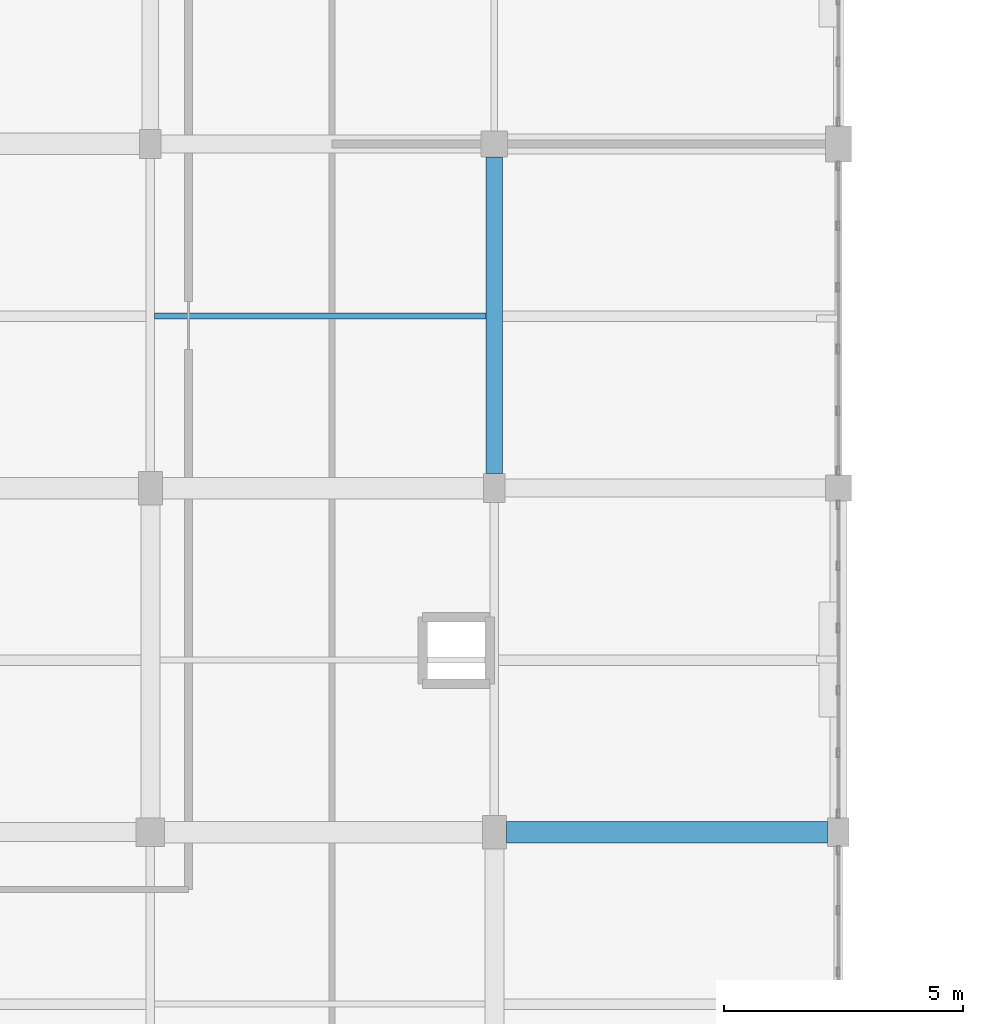
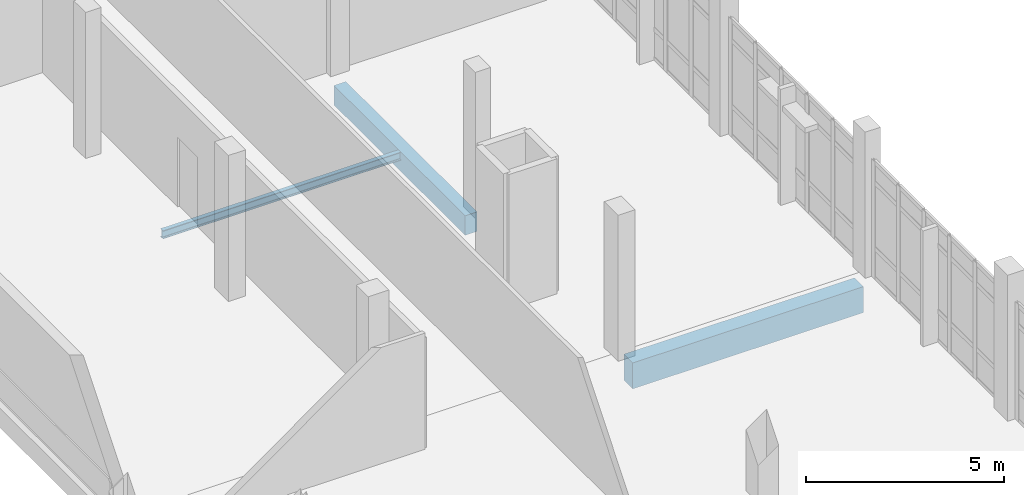
# One storey, part 15 of 57: 3 beams.
"""IFC4 building model written with IfcOpenShell, lengths in metres."""

from ifc_helpers import new_model, si_unit, direction, frame, origin, origin_2d, place, context, subcontext, project, spatial, rectangle, i_section, extrude, material, material_profile, profile_set, type_object, element, save


model = new_model("IFC4")

# Units and contexts
model_context = context("Model", 3, precision=1e-05, world=origin(), true_north=direction((0.0, 1.0)))
body_context = subcontext(model_context, "Body", "Model", "MODEL_VIEW")
ifc_project = project(units=[si_unit("LENGTHUNIT", "METRE"), si_unit("AREAUNIT", "SQUARE_METRE"), si_unit("VOLUMEUNIT", "CUBIC_METRE"), si_unit("PLANEANGLEUNIT", "RADIAN"), si_unit("MASSUNIT", "GRAM", prefix="KILO")], contexts=[model_context])

# Site, building, storey
site_placement = place(None, origin())
site = spatial("IfcSite", under=ifc_project, at=site_placement, CompositionType="ELEMENT")
building_placement = place(site_placement, origin())
building = spatial("IfcBuilding", under=site, at=building_placement, Name="Kalluvel Institute of Natural Sciences", CompositionType="ELEMENT")
storey_placement = place(building_placement, frame((0.0, 0.0, 23.39990234375)))
storey = spatial("IfcBuildingStorey", under=building, at=storey_placement, Name="L05", CompositionType="ELEMENT", Elevation=23.39990234375)

# Beams
ifc_material_1 = material(Name="Concrete M40", Category="concrete")
ifc_material_profile_1 = material_profile(ifc_material_1, rectangle(XDim=0.35009765625, YDim=0.60009765625, at=origin_2d()), Name="RCB 350x600")
ifc_profile_set_1 = profile_set([ifc_material_profile_1], Name="Concrete M40")
beam_type_1 = type_object("IfcBeamType", Name="BM-RC350x600", PredefinedType="BEAM", material=ifc_profile_set_1)
beam_1_placement = place(storey_placement, frame((28.39990234375, 71.89990234375, -0.599853515625), z_axis=(0.0, 1.0, 0.0), x_axis=(-1.0, 0.0, 0.0)))
element("IfcBeam", 1, at=beam_1_placement, inside=storey, type_object=beam_type_1, Name="L05 girder GIR-L05-NS-X284-Y716", PredefinedType="BEAM", context=body_context, shape_type="SweptSolid", body=[
    extrude(rectangle(XDim=0.35009765625, YDim=0.60009765625, at=origin_2d()), origin(), (0.0, 0.0, 1.0), 6.625),
])
ifc_material_profile_2 = material_profile(ifc_material_1, rectangle(XDim=0.449951171875, YDim=0.800048828125, at=origin_2d()), Name="RCB 450x800")
ifc_profile_set_2 = profile_set([ifc_material_profile_2], Name="Concrete M40")
beam_type_2 = type_object("IfcBeamType", Name="BM-RC450x800", PredefinedType="BEAM", material=ifc_profile_set_2)
beam_2_placement = place(storey_placement, frame((28.64990234375, 64.39990234375, -0.699951171875), z_axis=(1.0, 0.0, 0.0), x_axis=(0.0, 1.0, 0.0)))
element("IfcBeam", 2, at=beam_2_placement, inside=storey, type_object=beam_type_2, Name="L05 girder GIR-L05-EW-X284-Y644", PredefinedType="BEAM", context=body_context, shape_type="SweptSolid", body=[
    extrude(rectangle(XDim=0.449951171875, YDim=0.800048828125, at=origin_2d()), origin(), (0.0, 0.0, 1.0), 6.72509765625),
])
ifc_material_2 = material(Name="Steel E350 Grade 350", Category="steel")
ifc_material_profile_3 = material_profile(ifc_material_2, i_section(OverallWidth=0.125, OverallDepth=0.25, WebThickness=0.0068359375, FlangeThickness=0.012451171875, FilletRadius=0.012939453125, at=origin_2d()), Name="ISMB 250")
ifc_profile_set_3 = profile_set([ifc_material_profile_3], Name="Steel E350 Grade 350")
beam_type_3 = type_object("IfcBeamType", Name="WJ-ISMB250", PredefinedType="JOIST", material=ifc_profile_set_3)
beam_3_placement = place(storey_placement, frame((21.2900390625, 75.199951171875, -0.4248046875), z_axis=(1.0, 0.0, 0.0), x_axis=(0.0, 1.0, 0.0)))
element("IfcBeam", 3, at=beam_3_placement, inside=storey, type_object=beam_type_3, Name="L05 floor rib RIB-L05-0750", PredefinedType="JOIST", context=body_context, shape_type="SweptSolid", body=[
    extrude(i_section(OverallWidth=0.125, OverallDepth=0.25, WebThickness=0.0068359375, FlangeThickness=0.012451171875, FilletRadius=0.012939453125, at=origin_2d()), origin(), (0.0, 0.0, 1.0), 6.93505859375),
])

save(model, "model.ifc")
